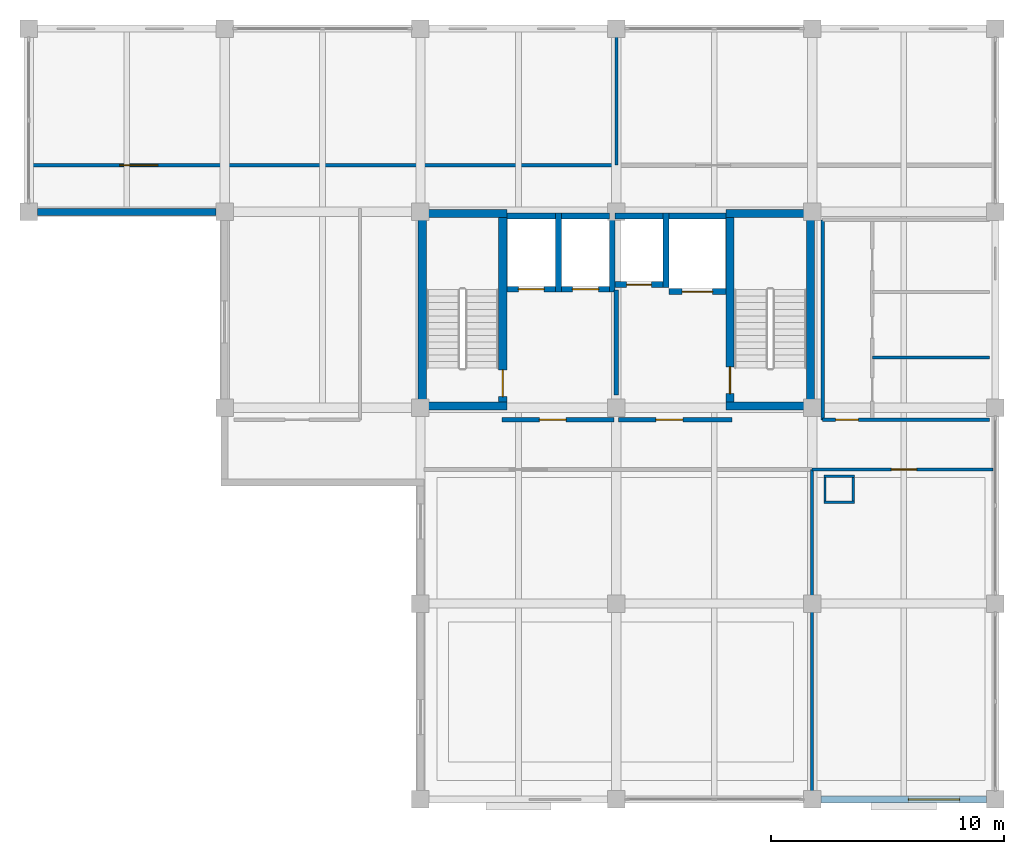
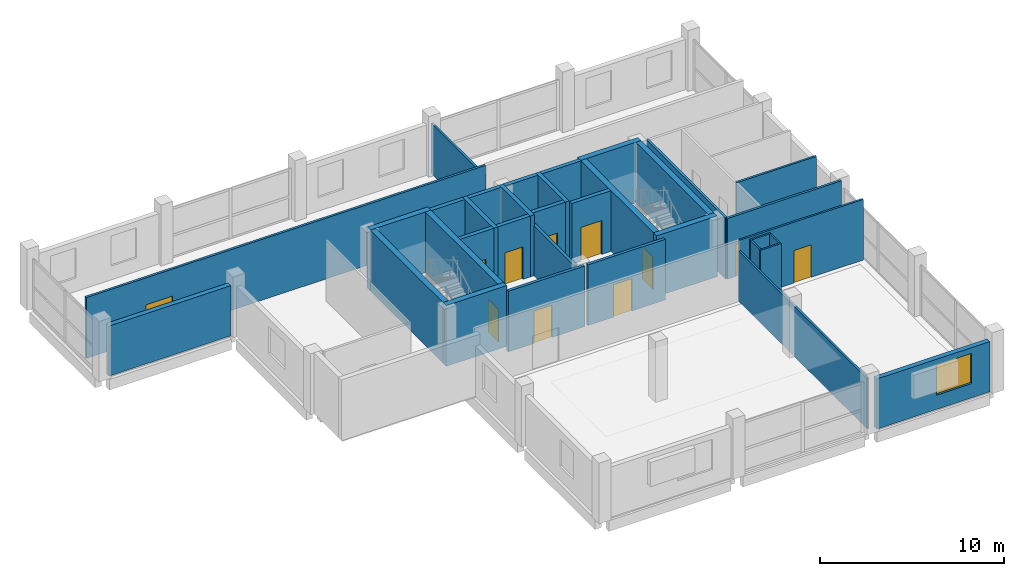
# One storey, part 7 of 9: 35 walls, 11 doors, 1 window, 12 openings.
"""IFC4 building model written with IfcOpenShell, lengths in metres."""

from ifc_helpers import new_model, si_unit, direction, frame, frame_2d, origin, place, context, subcontext, project, spatial, rectangle, extrude, material, layer, layer_set, type_object, element, fill, save


model = new_model("IFC4")

# Units and contexts
model_context = context("Model", 3, precision=1e-05, world=origin(), true_north=direction((0.0, 1.0)))
body_context = subcontext(model_context, "Body", "Model", "MODEL_VIEW")
ifc_project = project(units=[si_unit("LENGTHUNIT", "METRE"), si_unit("AREAUNIT", "SQUARE_METRE"), si_unit("VOLUMEUNIT", "CUBIC_METRE"), si_unit("PLANEANGLEUNIT", "RADIAN"), si_unit("MASSUNIT", "GRAM", prefix="KILO")], contexts=[model_context])

# Site, building, storey
site_placement = place(None, origin())
site = spatial("IfcSite", under=ifc_project, at=site_placement, CompositionType="ELEMENT")
building_placement = place(site_placement, origin())
building = spatial("IfcBuilding", under=site, at=building_placement, Name="Brinegate Botanical Conservatory", CompositionType="ELEMENT")
storey_placement = place(building_placement, frame((0.0, 0.0, 48.60009765625)))
storey = spatial("IfcBuildingStorey", under=building, at=storey_placement, Name="L12", CompositionType="ELEMENT", Elevation=48.60009765625)

# Wall, opening, window
ifc_material_1 = material(Name="Insulated Minnan red clay brick masonry", Category="masonry")
ifc_layer_1 = layer(ifc_material_1, 0.300048828125, Name="Insulated Minnan red clay brick masonry", Category="masonry")
ifc_layer_set_1 = layer_set([ifc_layer_1], Name="Insulated Minnan red clay brick masonry")
wall_type_1 = type_object("IfcWallType", Name="Wall_EW-300B", PredefinedType="STANDARD", material=ifc_layer_set_1)
wall_1_placement = place(storey_placement, frame((163.074951171875, 78.39990234375, 0.0), z_axis=(0.0, 0.0, 1.0), x_axis=(-1.0, 0.0, 0.0)))
wall_1 = element("IfcWall", 1, at=wall_1_placement, inside=storey, type_object=wall_type_1, Name="Tower south facade wall L12.3", PredefinedType="STANDARD", context=body_context, shape_type="SweptSolid", body=[
    extrude(rectangle(XDim=7.099853515625, YDim=0.300048828125, at=frame_2d((3.5498046875, 0.0))), origin(), (0.0, 0.0, 1.0), 3.329833984375),
])
opening_1_placement = place(wall_1_placement, frame((1.14990234375, 0.0, 0.949951171875)))
opening_1 = element("IfcOpeningElement", 2, at=opening_1_placement, cuts=wall_1, Name="Opening WN-13", PredefinedType="OPENING", context=body_context, shape_type="SweptSolid", body=[
    extrude(rectangle(XDim=2.199951171875, YDim=2.0, at=frame_2d((1.10009765625, 1.0))), frame((0.0, 0.159912109375, 0.0), z_axis=(0.0, -1.0, 0.0), x_axis=(1.0, 0.0, 0.0)), (0.0, 0.0, 1.0), 0.320068359375),
])
ifc_material_2 = material(Name="Thermally broken aluminium-framed Low-E glass", Category="aluminium")
window_type = type_object("IfcWindowType", Name="Win_WN-13", PartitioningType="DOUBLE_PANEL_VERTICAL", PredefinedType="WINDOW", material=ifc_material_2)
window_placement = place(opening_1_placement, origin())
window = element("IfcWindow", 3, at=window_placement, inside=storey, type_object=window_type, Name="Tower south window L12.3", OverallHeight=2.0, OverallWidth=2.199951171875, PartitioningType="DOUBLE_PANEL_VERTICAL", PredefinedType="WINDOW", context=body_context, shape_type="SweptSolid", body=[
    extrude(rectangle(XDim=2.199951171875, YDim=2.0, at=frame_2d((1.10009765625, 1.0))), frame((0.0, 0.030029296875, 0.0), z_axis=(0.0, -1.0, 0.0), x_axis=(1.0, 0.0, 0.0)), (0.0, 0.0, 1.0), 0.06005859375),
])
fill(opening_1, window)

# Walls
wall_2_placement = place(storey_placement, frame((130.02490234375, 103.60009765625, 0.0), z_axis=(0.0, 0.0, 1.0), x_axis=(-1.0, 0.0, 0.0)))
element("IfcWall", 4, at=wall_2_placement, inside=storey, type_object=wall_type_1, Name="Tower west setback return wall L12", PredefinedType="STANDARD", context=body_context, shape_type="SweptSolid", body=[
    extrude(rectangle(XDim=7.64990234375, YDim=0.300048828125, at=frame_2d((3.824951171875, 0.0))), origin(), (0.0, 0.0, 1.0), 3.329833984375),
])
ifc_material_3 = material(Name="Gypsum-clad steel-stud fire-rated shaft partition", Category="steel")
ifc_layer_2 = layer(ifc_material_3, 0.10498046875, Name="Gypsum-clad steel-stud fire-rated shaft partition", Category="steel")
ifc_layer_set_2 = layer_set([ifc_layer_2], Name="Gypsum-clad steel-stud fire-rated shaft partition")
wall_type_2 = type_object("IfcWallType", Name="Wall_PW-105", PredefinedType="PARTITIONING", material=ifc_layer_set_2)
for number, where, z_axis, x_axis, name in (
    (5, (156.094970703125, 91.1474609375, 0.0), (0.0, 0.0, 1.0), (1.0, 0.0, 0.0), "Service riser shaft wall L12 S"),
    (6, (156.094970703125, 92.25244140625, 0.0), (0.0, 0.0, 1.0), (1.0, 0.0, 0.0), "Service riser shaft wall L12 N"),
):
    element("IfcWall", number, at=place(storey_placement, frame(where, z_axis=z_axis, x_axis=x_axis)), inside=storey, type_object=wall_type_2, Name=name, PredefinedType="PARTITIONING", context=body_context, shape_type="SweptSolid", body=[
        extrude(rectangle(XDim=1.31005859375, YDim=0.10498046875, at=frame_2d((0.655029296875, 0.0))), origin(), (0.0, 0.0, 1.0), 4.02978515625),
    ])
for number, where, z_axis, x_axis, name in (
    (7, (156.1474609375, 91.199951171875, 0.0), (0.0, 0.0, 1.0), (0.0, 1.0, 0.0), "Service riser shaft wall L12 W"),
    (8, (157.3525390625, 91.199951171875, 0.0), (0.0, 0.0, 1.0), (0.0, 1.0, 0.0), "Service riser shaft wall L12 E"),
):
    element("IfcWall", number, at=place(storey_placement, frame(where, z_axis=z_axis, x_axis=x_axis)), inside=storey, type_object=wall_type_2, Name=name, PredefinedType="PARTITIONING", context=body_context, shape_type="SweptSolid", body=[
        extrude(rectangle(XDim=1.0, YDim=0.10498046875, at=frame_2d((0.5, 0.0))), origin(), (0.0, 0.0, 1.0), 4.02978515625),
    ])

# Wall, opening, door
ifc_material_4 = material(Name="Gypsum-clad steel-stud partition", Category="steel")
ifc_layer_3 = layer(ifc_material_4, 0.1201171875, Name="Gypsum-clad steel-stud partition", Category="steel")
ifc_layer_set_3 = layer_set([ifc_layer_3], Name="Gypsum-clad steel-stud partition")
wall_type_3 = type_object("IfcWallType", Name="Wall_PW-120", PredefinedType="PARTITIONING", material=ifc_layer_set_3)
wall_3_placement = place(storey_placement, frame((155.60009765625, 92.550048828125, 0.0), z_axis=(0.0, 0.0, 1.0), x_axis=(1.0, 0.0, 0.0)))
wall_3 = element("IfcWall", 9, at=wall_3_placement, inside=storey, type_object=wall_type_3, Name="Interior partition P-L12-SB-S2", PredefinedType="PARTITIONING", context=body_context, shape_type="SweptSolid", body=[
    extrude(rectangle(XDim=7.75, YDim=0.1201171875, at=frame_2d((3.875, 0.0))), origin(), (0.0, 0.0, 1.0), 4.02978515625),
])
opening_2_placement = place(wall_3_placement, frame((3.39990234375, 0.0, 0.0)))
opening_2 = element("IfcOpeningElement", 10, at=opening_2_placement, cuts=wall_3, Name="Opening DR-01", PredefinedType="OPENING", context=body_context, shape_type="SweptSolid", body=[
    extrude(rectangle(XDim=1.080078125, YDim=2.14990234375, at=frame_2d((0.5400390625, 1.074951171875))), frame((0.0, 0.070068359375, 0.0), z_axis=(0.0, -1.0, 0.0), x_axis=(1.0, 0.0, 0.0)), (0.0, 0.0, 1.0), 0.14013671875),
])
ifc_material_5 = material(Name="Hardwood timber acoustic leaf", Category="wood")
door_type_1 = type_object("IfcDoorType", Name="Door_DR-01", OperationType="NOTDEFINED", PredefinedType="DOOR", material=ifc_material_5)
door_1_placement = place(opening_2_placement, origin())
door_1 = element("IfcDoor", 11, at=door_1_placement, inside=storey, type_object=door_type_1, Name="DR-P-L12-SB-S2-1", OperationType="SINGLE_SWING_LEFT", OverallHeight=2.14990234375, OverallWidth=1.080078125, PredefinedType="DOOR", context=body_context, shape_type="SweptSolid", body=[
    extrude(rectangle(XDim=1.080078125, YDim=2.14990234375, at=frame_2d((0.5400390625, 1.074951171875))), frame((0.0, 0.02490234375, 0.0), z_axis=(0.0, -1.0, 0.0), x_axis=(1.0, 0.0, 0.0)), (0.0, 0.0, 1.0), 0.050048828125),
])
fill(opening_2, door_1)

# Walls
ifc_layer_4 = layer(ifc_material_4, 0.1279296875, Name="Gypsum-clad steel-stud partition", Category="steel")
ifc_layer_set_4 = layer_set([ifc_layer_4], Name="Gypsum-clad steel-stud partition")
wall_type_4 = type_object("IfcWallType", Name="Wall_PW-128", PredefinedType="PARTITIONING", material=ifc_layer_set_4)
wall_4_placement = place(storey_placement, frame((158.179931640625, 97.35009765625, 0.0), z_axis=(0.0, 0.0, 1.0), x_axis=(1.0, 0.0, 0.0)))
element("IfcWall", 12, at=wall_4_placement, inside=storey, type_object=wall_type_4, Name="Interior partition P-L12-WCD-9735", PredefinedType="PARTITIONING", context=body_context, shape_type="SweptSolid", body=[
    extrude(rectangle(XDim=5.02001953125, YDim=0.1279296875, at=frame_2d((2.510009765625, 0.0))), origin(), (0.0, 0.0, 1.0), 4.02978515625),
])
wall_5_placement = place(storey_placement, frame((147.199951171875, 105.60009765625, 0.0), z_axis=(0.0, 0.0, 1.0), x_axis=(0.0, 1.0, 0.0)))
element("IfcWall", 13, at=wall_5_placement, inside=storey, type_object=wall_type_4, Name="Interior partition P-L12-NDIV-N2", PredefinedType="PARTITIONING", context=body_context, shape_type="SweptSolid", body=[
    extrude(rectangle(XDim=5.75, YDim=0.1279296875, at=frame_2d((2.875, 0.0))), origin(), (0.0, 0.0, 1.0), 3.329833984375),
])
wall_6_placement = place(storey_placement, frame((155.60009765625, 78.550048828125, 0.0), z_axis=(0.0, 0.0, 1.0), x_axis=(0.0, 1.0, 0.0)))
element("IfcWall", 14, at=wall_6_placement, inside=storey, type_object=wall_type_4, Name="Interior partition P-L12-SDIV-S2", PredefinedType="PARTITIONING", context=body_context, shape_type="SweptSolid", body=[
    extrude(rectangle(XDim=14.0, YDim=0.1279296875, at=frame_2d((7.0, 0.0))), origin(), (0.0, 0.0, 1.0), 3.329833984375),
])

# Wall, opening, door
ifc_material_6 = material(Name="Gypsum-clad acoustic steel-stud partition", Category="steel")
ifc_layer_5 = layer(ifc_material_6, 0.14501953125, Name="Gypsum-clad acoustic steel-stud partition", Category="steel")
ifc_layer_set_5 = layer_set([ifc_layer_5], Name="Gypsum-clad acoustic steel-stud partition")
wall_type_5 = type_object("IfcWallType", Name="Wall_PW-150", PredefinedType="PARTITIONING", material=ifc_layer_set_5)
wall_7_placement = place(storey_placement, frame((122.14990234375, 105.60009765625, 0.0), z_axis=(0.0, 0.0, 1.0), x_axis=(1.0, 0.0, 0.0)))
wall_7 = element("IfcWall", 15, at=wall_7_placement, inside=storey, type_object=wall_type_5, Name="Interior partition P-L12-NB-N1", PredefinedType="PARTITIONING", context=body_context, shape_type="SweptSolid", body=[
    extrude(rectangle(XDim=25.050048828125, YDim=0.14501953125, at=frame_2d((12.52490234375, 0.0))), origin(), (0.0, 0.0, 1.0), 4.02978515625),
])
opening_3_placement = place(wall_7_placement, frame((3.75, 0.0, 0.0)))
opening_3 = element("IfcOpeningElement", 16, at=opening_3_placement, cuts=wall_7, Name="Opening DR-11", PredefinedType="OPENING", context=body_context, shape_type="SweptSolid", body=[
    extrude(rectangle(XDim=1.639892578125, YDim=2.239990234375, at=frame_2d((0.81982421875, 1.1201171875))), frame((0.0, 0.08251953125, 0.0), z_axis=(0.0, -1.0, 0.0), x_axis=(1.0, 0.0, 0.0)), (0.0, 0.0, 1.0), 0.1650390625),
])
ifc_material_7 = material(Name="Hardwood acoustic double door", Category="wood")
door_type_2 = type_object("IfcDoorType", Name="Door_DR-11", OperationType="NOTDEFINED", PredefinedType="DOOR", material=ifc_material_7)
door_2_placement = place(opening_3_placement, origin())
door_2 = element("IfcDoor", 17, at=door_2_placement, inside=storey, type_object=door_type_2, Name="DR-P-L12-NB-N1-1", OperationType="SINGLE_SWING_LEFT", OverallHeight=2.239990234375, OverallWidth=1.639892578125, PredefinedType="DOOR", context=body_context, shape_type="SweptSolid", body=[
    extrude(rectangle(XDim=1.639892578125, YDim=2.239990234375, at=frame_2d((0.81982421875, 1.1201171875))), frame((0.0, 0.02490234375, 0.0), z_axis=(0.0, -1.0, 0.0), x_axis=(1.0, 0.0, 0.0)), (0.0, 0.0, 1.0), 0.050048828125),
])
fill(opening_3, door_2)

ifc_material_8 = material(Name="Moisture-resistant cement-board partition", Category="gypsum")
ifc_layer_6 = layer(ifc_material_8, 0.14990234375, Name="Moisture-resistant cement-board partition", Category="gypsum")
ifc_layer_set_6 = layer_set([ifc_layer_6], Name="Moisture-resistant cement-board partition")
wall_type_6 = type_object("IfcWallType", Name="Wall_PW-150W", PredefinedType="PARTITIONING", material=ifc_layer_set_6)
wall_8_placement = place(storey_placement, frame((156.050048828125, 94.679931640625, 0.0), z_axis=(0.0, 0.0, 1.0), x_axis=(1.0, 0.0, 0.0)))
wall_8 = element("IfcWall", 18, at=wall_8_placement, inside=storey, type_object=wall_type_6, Name="Interior partition P-L12-WCS", PredefinedType="PARTITIONING", context=body_context, shape_type="SweptSolid", body=[
    extrude(rectangle(XDim=7.14990234375, YDim=0.14990234375, at=frame_2d((3.574951171875, 0.0))), origin(), (0.0, 0.0, 1.0), 4.02978515625),
])
opening_4_placement = place(wall_8_placement, frame((0.550048828125, 0.0, 0.0)))
opening_4 = element("IfcOpeningElement", 19, at=opening_4_placement, cuts=wall_8, Name="Opening DR-03", PredefinedType="OPENING", context=body_context, shape_type="SweptSolid", body=[
    extrude(rectangle(XDim=0.97998046875, YDim=2.1201171875, at=frame_2d((0.489990234375, 1.06005859375))), frame((0.0, 0.0849609375, 0.0), z_axis=(0.0, -1.0, 0.0), x_axis=(1.0, 0.0, 0.0)), (0.0, 0.0, 1.0), 0.169921875),
])
ifc_material_9 = material(Name="Steel-core hardwood smoke-sealed fire door", Category="steel")
door_type_3 = type_object("IfcDoorType", Name="Door_DR-03", OperationType="NOTDEFINED", PredefinedType="DOOR", material=ifc_material_9)
door_3_placement = place(opening_4_placement, origin())
door_3 = element("IfcDoor", 20, at=door_3_placement, inside=storey, type_object=door_type_3, Name="DR-P-L12-WCS-1", OperationType="SINGLE_SWING_LEFT", OverallHeight=2.1201171875, OverallWidth=0.97998046875, PredefinedType="DOOR", context=body_context, shape_type="SweptSolid", body=[
    extrude(rectangle(XDim=0.97998046875, YDim=2.1201171875, at=frame_2d((0.489990234375, 1.06005859375))), frame((0.0, 0.02490234375, 0.0), z_axis=(0.0, -1.0, 0.0), x_axis=(1.0, 0.0, 0.0)), (0.0, 0.0, 1.0), 0.050048828125),
])
fill(opening_4, door_3)

# Wall
wall_9_placement = place(storey_placement, frame((156.050048828125, 94.679931640625, 0.0), z_axis=(0.0, 0.0, 1.0), x_axis=(0.0, 1.0, 0.0)))
element("IfcWall", 21, at=wall_9_placement, inside=storey, type_object=wall_type_6, Name="Interior partition P-L12-WCWW", PredefinedType="PARTITIONING", context=body_context, shape_type="SweptSolid", body=[
    extrude(rectangle(XDim=8.570068359375, YDim=0.14990234375, at=frame_2d((4.28515625, 0.0))), origin(), (0.0, 0.0, 1.0), 4.02978515625),
])

# Wall, opening, door
ifc_material_10 = material(Name="Autoclaved aerated concrete C40/50 blockwork", Category="masonry")
ifc_layer_7 = layer(ifc_material_10, 0.179931640625, Name="Autoclaved aerated concrete C40/50 blockwork", Category="masonry")
ifc_layer_set_7 = layer_set([ifc_layer_7], Name="Autoclaved aerated concrete C40/50 blockwork")
wall_type_7 = type_object("IfcWallType", Name="Wall_PW-180F", PredefinedType="STANDARD", material=ifc_layer_set_7)
wall_10_placement = place(storey_placement, frame((142.300048828125, 94.679931640625, 0.0), z_axis=(0.0, 0.0, 1.0), x_axis=(1.0, 0.0, 0.0)))
wall_10 = element("IfcWall", 22, at=wall_10_placement, inside=storey, type_object=wall_type_7, Name="Interior partition P-L12-CORE-FF", PredefinedType="STANDARD", context=body_context, shape_type="SweptSolid", body=[
    extrude(rectangle(XDim=4.800048828125, YDim=0.179931640625, at=frame_2d((2.39990234375, 0.0))), origin(), (0.0, 0.0, 1.0), 4.02978515625),
])
opening_5_placement = place(wall_10_placement, frame((1.60009765625, 0.0, 0.0)))
opening_5 = element("IfcOpeningElement", 23, at=opening_5_placement, cuts=wall_10, Name="Opening FD-B1", PredefinedType="OPENING", context=body_context, shape_type="SweptSolid", body=[
    extrude(rectangle(XDim=1.14990234375, YDim=2.14990234375, at=frame_2d((0.574951171875, 1.074951171875))), frame((0.0, 0.099853515625, 0.0), z_axis=(0.0, -1.0, 0.0), x_axis=(1.0, 0.0, 0.0)), (0.0, 0.0, 1.0), 0.199951171875),
])
ifc_material_11 = material(Name="Steel smoke-proof fire door assembly", Category="steel")
door_type_4 = type_object("IfcDoorType", Name="Door_FD-B1", OperationType="NOTDEFINED", PredefinedType="DOOR", material=ifc_material_11)
door_4_placement = place(opening_5_placement, origin())
door_4 = element("IfcDoor", 24, at=door_4_placement, inside=storey, type_object=door_type_4, Name="DR-P-L12-CORE-FF-1", OperationType="SINGLE_SWING_LEFT", OverallHeight=2.14990234375, OverallWidth=1.14990234375, PredefinedType="DOOR", context=body_context, shape_type="SweptSolid", body=[
    extrude(rectangle(XDim=1.14990234375, YDim=2.14990234375, at=frame_2d((0.574951171875, 1.074951171875))), frame((0.0, 0.02490234375, 0.0), z_axis=(0.0, -1.0, 0.0), x_axis=(1.0, 0.0, 0.0)), (0.0, 0.0, 1.0), 0.050048828125),
])
fill(opening_5, door_4)

wall_11_placement = place(storey_placement, frame((147.300048828125, 94.679931640625, 0.0), z_axis=(0.0, 0.0, 1.0), x_axis=(1.0, 0.0, 0.0)))
wall_11 = element("IfcWall", 25, at=wall_11_placement, inside=storey, type_object=wall_type_7, Name="Interior partition P-L12-CORE-PAX", PredefinedType="STANDARD", context=body_context, shape_type="SweptSolid", body=[
    extrude(rectangle(XDim=4.849853515625, YDim=0.179931640625, at=frame_2d((2.4248046875, 0.0))), origin(), (0.0, 0.0, 1.0), 4.02978515625),
])
opening_6_placement = place(wall_11_placement, frame((1.60009765625, 0.0, 0.0)))
opening_6 = element("IfcOpeningElement", 26, at=opening_6_placement, cuts=wall_11, Name="Opening FD-B1", PredefinedType="OPENING", context=body_context, shape_type="SweptSolid", body=[
    extrude(rectangle(XDim=1.14990234375, YDim=2.14990234375, at=frame_2d((0.574951171875, 1.074951171875))), frame((0.0, 0.099853515625, 0.0), z_axis=(0.0, -1.0, 0.0), x_axis=(1.0, 0.0, 0.0)), (0.0, 0.0, 1.0), 0.199951171875),
])
door_5_placement = place(opening_6_placement, origin())
door_5 = element("IfcDoor", 27, at=door_5_placement, inside=storey, type_object=door_type_4, Name="DR-P-L12-CORE-PAX-1", OperationType="SINGLE_SWING_RIGHT", OverallHeight=2.14990234375, OverallWidth=1.14990234375, PredefinedType="DOOR", context=body_context, shape_type="SweptSolid", body=[
    extrude(rectangle(XDim=1.14990234375, YDim=2.14990234375, at=frame_2d((0.574951171875, 1.074951171875))), frame((0.0, 0.02490234375, 0.0), z_axis=(0.0, -1.0, 0.0), x_axis=(1.0, 0.0, 0.0)), (0.0, 0.0, 1.0), 0.050048828125),
])
fill(opening_6, door_5)

# Wall
wall_12_placement = place(storey_placement, frame((147.199951171875, 95.75, 0.0), z_axis=(0.0, 0.0, 1.0), x_axis=(0.0, 1.0, 0.0)))
element("IfcWall", 28, at=wall_12_placement, inside=storey, type_object=wall_type_7, Name="Interior partition P-L12-CORE-DIV", PredefinedType="STANDARD", context=body_context, shape_type="SweptSolid", body=[
    extrude(rectangle(XDim=4.5, YDim=0.179931640625, at=frame_2d((2.25, 0.0))), origin(), (0.0, 0.0, 1.0), 3.329833984375),
])

# Wall, opening, door
ifc_material_12 = material(Name="Concrete C40/50", Category="concrete")
ifc_layer_8 = layer(ifc_material_12, 0.25, Name="Concrete C40/50", Category="concrete")
ifc_layer_set_8 = layer_set([ifc_layer_8], Name="Concrete C40/50")
wall_type_8 = type_object("IfcWallType", Name="Wall_SW-250", PredefinedType="SHEAR", material=ifc_layer_set_8)
wall_13_placement = place(storey_placement, frame((142.5, 100.27490234375, 0.0), z_axis=(0.0, 0.0, 1.0), x_axis=(1.0, 0.0, 0.0)))
wall_13 = element("IfcWall", 29, at=wall_13_placement, inside=storey, type_object=wall_type_8, Name="Lift shaft LF1 shear wall L12 S", PredefinedType="SHEAR", context=body_context, shape_type="SweptSolid", body=[
    extrude(rectangle(XDim=2.10009765625, YDim=0.25, at=frame_2d((1.050048828125, 0.0))), origin(), (0.0, 0.0, 1.0), 4.02978515625),
])
opening_7_placement = place(wall_13_placement, frame((0.5, 0.0, 0.0)))
opening_7 = element("IfcOpeningElement", 30, at=opening_7_placement, cuts=wall_13, Name="Opening LD-01", PredefinedType="OPENING", context=body_context, shape_type="SweptSolid", body=[
    extrude(rectangle(XDim=1.10009765625, YDim=2.14990234375, at=frame_2d((0.550048828125, 1.074951171875))), frame((0.0, 0.135009765625, 0.0), z_axis=(0.0, -1.0, 0.0), x_axis=(1.0, 0.0, 0.0)), (0.0, 0.0, 1.0), 0.27001953125),
])
ifc_material_13 = material(Name="Brushed stainless steel S355 landing door", Category="steel")
door_type_5 = type_object("IfcDoorType", Name="Door_LD-01", OperationType="SLIDING_TO_LEFT", PredefinedType="DOOR", material=ifc_material_13)
door_6_placement = place(opening_7_placement, origin())
door_6 = element("IfcDoor", 31, at=door_6_placement, inside=storey, type_object=door_type_5, Name="LD-LF1-L12", OperationType="SLIDING_TO_LEFT", OverallHeight=2.14990234375, OverallWidth=1.10009765625, PredefinedType="DOOR", context=body_context, shape_type="SweptSolid", body=[
    extrude(rectangle(XDim=1.10009765625, YDim=2.14990234375, at=frame_2d((0.550048828125, 1.074951171875))), frame((0.0, 0.02490234375, 0.0), z_axis=(0.0, -1.0, 0.0), x_axis=(1.0, 0.0, 0.0)), (0.0, 0.0, 1.0), 0.050048828125),
])
fill(opening_7, door_6)

# Walls
wall_14_placement = place(storey_placement, frame((142.5, 103.425048828125, 0.0), z_axis=(0.0, 0.0, 1.0), x_axis=(1.0, 0.0, 0.0)))
element("IfcWall", 32, at=wall_14_placement, inside=storey, type_object=wall_type_8, Name="Lift shaft LF1 shear wall L12 N", PredefinedType="SHEAR", context=body_context, shape_type="SweptSolid", body=[
    extrude(rectangle(XDim=2.10009765625, YDim=0.25, at=frame_2d((1.050048828125, 0.0))), origin(), (0.0, 0.0, 1.0), 4.02978515625),
])
wall_15_placement = place(storey_placement, frame((144.72509765625, 100.14990234375, 0.0), z_axis=(0.0, 0.0, 1.0), x_axis=(0.0, 1.0, 0.0)))
element("IfcWall", 33, at=wall_15_placement, inside=storey, type_object=wall_type_8, Name="Lift shaft LF1 shear wall L12 E", PredefinedType="SHEAR", context=body_context, shape_type="SweptSolid", body=[
    extrude(rectangle(XDim=3.400146484375, YDim=0.25, at=frame_2d((1.7001953125, 0.0))), origin(), (0.0, 0.0, 1.0), 4.02978515625),
])

# Wall, opening, door
wall_16_placement = place(storey_placement, frame((144.85009765625, 100.27490234375, 0.0), z_axis=(0.0, 0.0, 1.0), x_axis=(1.0, 0.0, 0.0)))
wall_16 = element("IfcWall", 34, at=wall_16_placement, inside=storey, type_object=wall_type_8, Name="Lift shaft LF2 shear wall L12 S", PredefinedType="SHEAR", context=body_context, shape_type="SweptSolid", body=[
    extrude(rectangle(XDim=2.0498046875, YDim=0.25, at=frame_2d((1.02490234375, 0.0))), origin(), (0.0, 0.0, 1.0), 4.02978515625),
])
opening_8_placement = place(wall_16_placement, frame((0.465087890625, 0.0, 0.0)))
opening_8 = element("IfcOpeningElement", 35, at=opening_8_placement, cuts=wall_16, Name="Opening LD-02", PredefinedType="OPENING", context=body_context, shape_type="SweptSolid", body=[
    extrude(rectangle(XDim=1.1201171875, YDim=2.14990234375, at=frame_2d((0.56005859375, 1.074951171875))), frame((0.0, 0.135009765625, 0.0), z_axis=(0.0, -1.0, 0.0), x_axis=(1.0, 0.0, 0.0)), (0.0, 0.0, 1.0), 0.27001953125),
])
door_type_6 = type_object("IfcDoorType", Name="Door_LD-02", OperationType="SLIDING_TO_LEFT", PredefinedType="DOOR", material=ifc_material_13)
door_7_placement = place(opening_8_placement, origin())
door_7 = element("IfcDoor", 36, at=door_7_placement, inside=storey, type_object=door_type_6, Name="LD-LF2-L12", OperationType="SLIDING_TO_LEFT", OverallHeight=2.14990234375, OverallWidth=1.1201171875, PredefinedType="DOOR", context=body_context, shape_type="SweptSolid", body=[
    extrude(rectangle(XDim=1.1201171875, YDim=2.14990234375, at=frame_2d((0.56005859375, 1.074951171875))), frame((0.0, 0.02490234375, 0.0), z_axis=(0.0, -1.0, 0.0), x_axis=(1.0, 0.0, 0.0)), (0.0, 0.0, 1.0), 0.050048828125),
])
fill(opening_8, door_7)

# Walls
wall_17_placement = place(storey_placement, frame((144.85009765625, 103.425048828125, 0.0), z_axis=(0.0, 0.0, 1.0), x_axis=(1.0, 0.0, 0.0)))
element("IfcWall", 37, at=wall_17_placement, inside=storey, type_object=wall_type_8, Name="Lift shaft LF2 shear wall L12 N", PredefinedType="SHEAR", context=body_context, shape_type="SweptSolid", body=[
    extrude(rectangle(XDim=2.0498046875, YDim=0.25, at=frame_2d((1.02490234375, 0.0))), origin(), (0.0, 0.0, 1.0), 4.02978515625),
])
wall_18_placement = place(storey_placement, frame((147.02490234375, 100.14990234375, 0.0), z_axis=(0.0, 0.0, 1.0), x_axis=(0.0, 1.0, 0.0)))
element("IfcWall", 38, at=wall_18_placement, inside=storey, type_object=wall_type_8, Name="Lift shaft LF2 shear wall L12 E", PredefinedType="SHEAR", context=body_context, shape_type="SweptSolid", body=[
    extrude(rectangle(XDim=3.400146484375, YDim=0.25, at=frame_2d((1.7001953125, 0.0))), origin(), (0.0, 0.0, 1.0), 4.02978515625),
])

# Wall, opening, door
wall_19_placement = place(storey_placement, frame((147.14990234375, 100.47509765625, 0.0), z_axis=(0.0, 0.0, 1.0), x_axis=(1.0, 0.0, 0.0)))
wall_19 = element("IfcWall", 39, at=wall_19_placement, inside=storey, type_object=wall_type_8, Name="Lift shaft LF3 shear wall L12 S", PredefinedType="SHEAR", context=body_context, shape_type="SweptSolid", body=[
    extrude(rectangle(XDim=2.050048828125, YDim=0.25, at=frame_2d((1.02490234375, 0.0))), origin(), (0.0, 0.0, 1.0), 4.02978515625),
])
opening_9_placement = place(wall_19_placement, frame((0.4951171875, 0.0, 0.0)))
opening_9 = element("IfcOpeningElement", 40, at=opening_9_placement, cuts=wall_19, Name="Opening LD-03", PredefinedType="OPENING", context=body_context, shape_type="SweptSolid", body=[
    extrude(rectangle(XDim=1.06005859375, YDim=2.14990234375, at=frame_2d((0.530029296875, 1.074951171875))), frame((0.0, 0.135009765625, 0.0), z_axis=(0.0, -1.0, 0.0), x_axis=(1.0, 0.0, 0.0)), (0.0, 0.0, 1.0), 0.27001953125),
])
door_type_7 = type_object("IfcDoorType", Name="Door_LD-03", OperationType="SLIDING_TO_LEFT", PredefinedType="DOOR", material=ifc_material_13)
door_8_placement = place(opening_9_placement, origin())
door_8 = element("IfcDoor", 41, at=door_8_placement, inside=storey, type_object=door_type_7, Name="LD-LF3-L12", OperationType="SLIDING_TO_LEFT", OverallHeight=2.14990234375, OverallWidth=1.06005859375, PredefinedType="DOOR", context=body_context, shape_type="SweptSolid", body=[
    extrude(rectangle(XDim=1.06005859375, YDim=2.14990234375, at=frame_2d((0.530029296875, 1.074951171875))), frame((0.0, 0.02490234375, 0.0), z_axis=(0.0, -1.0, 0.0), x_axis=(1.0, 0.0, 0.0)), (0.0, 0.0, 1.0), 0.050048828125),
])
fill(opening_9, door_8)

# Walls
wall_20_placement = place(storey_placement, frame((147.14990234375, 103.425048828125, 0.0), z_axis=(0.0, 0.0, 1.0), x_axis=(1.0, 0.0, 0.0)))
element("IfcWall", 42, at=wall_20_placement, inside=storey, type_object=wall_type_8, Name="Lift shaft LF3 shear wall L12 N", PredefinedType="SHEAR", context=body_context, shape_type="SweptSolid", body=[
    extrude(rectangle(XDim=2.050048828125, YDim=0.25, at=frame_2d((1.02490234375, 0.0))), origin(), (0.0, 0.0, 1.0), 4.02978515625),
])
wall_21_placement = place(storey_placement, frame((149.324951171875, 100.35009765625, 0.0), z_axis=(0.0, 0.0, 1.0), x_axis=(0.0, 1.0, 0.0)))
element("IfcWall", 43, at=wall_21_placement, inside=storey, type_object=wall_type_8, Name="Lift shaft LF3 shear wall L12 E", PredefinedType="SHEAR", context=body_context, shape_type="SweptSolid", body=[
    extrude(rectangle(XDim=3.199951171875, YDim=0.25, at=frame_2d((1.60009765625, 0.0))), origin(), (0.0, 0.0, 1.0), 4.02978515625),
])

# Wall, opening, door
wall_22_placement = place(storey_placement, frame((149.449951171875, 100.175048828125, 0.0), z_axis=(0.0, 0.0, 1.0), x_axis=(1.0, 0.0, 0.0)))
wall_22 = element("IfcWall", 44, at=wall_22_placement, inside=storey, type_object=wall_type_8, Name="Lift shaft LF4 shear wall L12 S", PredefinedType="SHEAR", context=body_context, shape_type="SweptSolid", body=[
    extrude(rectangle(XDim=2.449951171875, YDim=0.25, at=frame_2d((1.22509765625, 0.0))), origin(), (0.0, 0.0, 1.0), 4.02978515625),
])
opening_10_placement = place(wall_22_placement, frame((0.574951171875, 0.0, 0.0)))
opening_10 = element("IfcOpeningElement", 45, at=opening_10_placement, cuts=wall_22, Name="Opening LD-04", PredefinedType="OPENING", context=body_context, shape_type="SweptSolid", body=[
    extrude(rectangle(XDim=1.300048828125, YDim=2.25, at=frame_2d((0.64990234375, 1.125))), frame((0.0, 0.135009765625, 0.0), z_axis=(0.0, -1.0, 0.0), x_axis=(1.0, 0.0, 0.0)), (0.0, 0.0, 1.0), 0.27001953125),
])
door_type_8 = type_object("IfcDoorType", Name="Door_LD-04", OperationType="SLIDING_TO_LEFT", PredefinedType="DOOR", material=ifc_material_13)
door_9_placement = place(opening_10_placement, origin())
door_9 = element("IfcDoor", 46, at=door_9_placement, inside=storey, type_object=door_type_8, Name="LD-LF4-L12", OperationType="SLIDING_TO_LEFT", OverallHeight=2.25, OverallWidth=1.300048828125, PredefinedType="DOOR", context=body_context, shape_type="SweptSolid", body=[
    extrude(rectangle(XDim=1.300048828125, YDim=2.25, at=frame_2d((0.64990234375, 1.125))), frame((0.0, 0.02490234375, 0.0), z_axis=(0.0, -1.0, 0.0), x_axis=(1.0, 0.0, 0.0)), (0.0, 0.0, 1.0), 0.050048828125),
])
fill(opening_10, door_9)

# Walls
wall_23_placement = place(storey_placement, frame((149.449951171875, 103.425048828125, 0.0), z_axis=(0.0, 0.0, 1.0), x_axis=(1.0, 0.0, 0.0)))
element("IfcWall", 47, at=wall_23_placement, inside=storey, type_object=wall_type_8, Name="Lift shaft LF4 shear wall L12 N", PredefinedType="SHEAR", context=body_context, shape_type="SweptSolid", body=[
    extrude(rectangle(XDim=2.449951171875, YDim=0.25, at=frame_2d((1.22509765625, 0.0))), origin(), (0.0, 0.0, 1.0), 4.02978515625),
])
ifc_layer_9 = layer(ifc_material_12, 0.35009765625, Name="Concrete C40/50", Category="concrete")
ifc_layer_set_9 = layer_set([ifc_layer_9], Name="Concrete C40/50")
wall_type_9 = type_object("IfcWallType", Name="Wall_SW-350", PredefinedType="SHEAR", material=ifc_layer_set_9)
for number, where, z_axis, x_axis, name in (
    (48, (138.699951171875, 95.27490234375, 0.0), (0.0, 0.0, 1.0), (1.0, 0.0, 0.0), "Stairwell ST1 shear wall L12 S"),
    (49, (138.699951171875, 103.52490234375, 0.0), (0.0, 0.0, 1.0), (1.0, 0.0, 0.0), "Stairwell ST1 shear wall L12 N"),
):
    element("IfcWall", number, at=place(storey_placement, frame(where, z_axis=z_axis, x_axis=x_axis)), inside=storey, type_object=wall_type_9, Name=name, PredefinedType="SHEAR", context=body_context, shape_type="SweptSolid", body=[
        extrude(rectangle(XDim=3.800048828125, YDim=0.35009765625, at=frame_2d((1.89990234375, 0.0))), origin(), (0.0, 0.0, 1.0), 4.02978515625),
    ])
wall_24_placement = place(storey_placement, frame((138.875, 95.449951171875, 0.0), z_axis=(0.0, 0.0, 1.0), x_axis=(0.0, 1.0, 0.0)))
element("IfcWall", 50, at=wall_24_placement, inside=storey, type_object=wall_type_9, Name="Stairwell ST1 shear wall L12 W", PredefinedType="SHEAR", context=body_context, shape_type="SweptSolid", body=[
    extrude(rectangle(XDim=7.900146484375, YDim=0.35009765625, at=frame_2d((3.9501953125, 0.0))), origin(), (0.0, 0.0, 1.0), 4.02978515625),
])

# Wall, opening, door
wall_25_placement = place(storey_placement, frame((142.324951171875, 95.449951171875, 0.0), z_axis=(0.0, 0.0, 1.0), x_axis=(0.0, 1.0, 0.0)))
wall_25 = element("IfcWall", 51, at=wall_25_placement, inside=storey, type_object=wall_type_9, Name="Stairwell ST1 shear wall L12 E", PredefinedType="SHEAR", context=body_context, shape_type="SweptSolid", body=[
    extrude(rectangle(XDim=7.900146484375, YDim=0.35009765625, at=frame_2d((3.9501953125, 0.0))), origin(), (0.0, 0.0, 1.0), 4.02978515625),
])
opening_11_placement = place(wall_25_placement, frame((0.219970703125, 0.0, 0.0)))
opening_11 = element("IfcOpeningElement", 52, at=opening_11_placement, cuts=wall_25, Name="Opening FD-B1", PredefinedType="OPENING", context=body_context, shape_type="SweptSolid", body=[
    extrude(rectangle(XDim=1.14990234375, YDim=2.14990234375, at=frame_2d((0.574951171875, 1.074951171875))), frame((0.0, 0.18505859375, 0.0), z_axis=(0.0, -1.0, 0.0), x_axis=(1.0, 0.0, 0.0)), (0.0, 0.0, 1.0), 0.3701171875),
])
door_10_placement = place(opening_11_placement, origin())
door_10 = element("IfcDoor", 53, at=door_10_placement, inside=storey, type_object=door_type_4, Name="DR-ST-ST1-L12", OperationType="SINGLE_SWING_RIGHT", OverallHeight=2.14990234375, OverallWidth=1.14990234375, PredefinedType="DOOR", context=body_context, shape_type="SweptSolid", body=[
    extrude(rectangle(XDim=1.14990234375, YDim=2.14990234375, at=frame_2d((0.574951171875, 1.074951171875))), frame((0.0, 0.02490234375, 0.0), z_axis=(0.0, -1.0, 0.0), x_axis=(1.0, 0.0, 0.0)), (0.0, 0.0, 1.0), 0.050048828125),
])
fill(opening_11, door_10)

# Walls
for number, where, z_axis, x_axis, name in (
    (54, (151.89990234375, 95.27490234375, 0.0), (0.0, 0.0, 1.0), (1.0, 0.0, 0.0), "Stairwell ST2 shear wall L12 S"),
    (55, (151.89990234375, 103.52490234375, 0.0), (0.0, 0.0, 1.0), (1.0, 0.0, 0.0), "Stairwell ST2 shear wall L12 N"),
):
    element("IfcWall", number, at=place(storey_placement, frame(where, z_axis=z_axis, x_axis=x_axis)), inside=storey, type_object=wall_type_9, Name=name, PredefinedType="SHEAR", context=body_context, shape_type="SweptSolid", body=[
        extrude(rectangle(XDim=3.800048828125, YDim=0.35009765625, at=frame_2d((1.89990234375, 0.0))), origin(), (0.0, 0.0, 1.0), 4.02978515625),
    ])

# Wall, opening, door
wall_26_placement = place(storey_placement, frame((152.074951171875, 95.449951171875, 0.0), z_axis=(0.0, 0.0, 1.0), x_axis=(0.0, 1.0, 0.0)))
wall_26 = element("IfcWall", 56, at=wall_26_placement, inside=storey, type_object=wall_type_9, Name="Stairwell ST2 shear wall L12 W", PredefinedType="SHEAR", context=body_context, shape_type="SweptSolid", body=[
    extrude(rectangle(XDim=7.900146484375, YDim=0.35009765625, at=frame_2d((3.9501953125, 0.0))), origin(), (0.0, 0.0, 1.0), 4.02978515625),
])
opening_12_placement = place(wall_26_placement, frame((0.35009765625, 0.0, 0.0)))
opening_12 = element("IfcOpeningElement", 57, at=opening_12_placement, cuts=wall_26, Name="Opening FD-B1", PredefinedType="OPENING", context=body_context, shape_type="SweptSolid", body=[
    extrude(rectangle(XDim=1.14990234375, YDim=2.14990234375, at=frame_2d((0.574951171875, 1.074951171875))), frame((0.0, 0.18505859375, 0.0), z_axis=(0.0, -1.0, 0.0), x_axis=(1.0, 0.0, 0.0)), (0.0, 0.0, 1.0), 0.3701171875),
])
door_11_placement = place(opening_12_placement, origin())
door_11 = element("IfcDoor", 58, at=door_11_placement, inside=storey, type_object=door_type_4, Name="DR-ST-ST2-L12", OperationType="SINGLE_SWING_RIGHT", OverallHeight=2.14990234375, OverallWidth=1.14990234375, PredefinedType="DOOR", context=body_context, shape_type="SweptSolid", body=[
    extrude(rectangle(XDim=1.14990234375, YDim=2.14990234375, at=frame_2d((0.574951171875, 1.074951171875))), frame((0.0, 0.02490234375, 0.0), z_axis=(0.0, -1.0, 0.0), x_axis=(1.0, 0.0, 0.0)), (0.0, 0.0, 1.0), 0.050048828125),
])
fill(opening_12, door_11)

# Wall
wall_27_placement = place(storey_placement, frame((155.52490234375, 95.449951171875, 0.0), z_axis=(0.0, 0.0, 1.0), x_axis=(0.0, 1.0, 0.0)))
element("IfcWall", 59, at=wall_27_placement, inside=storey, type_object=wall_type_9, Name="Stairwell ST2 shear wall L12 E", PredefinedType="SHEAR", context=body_context, shape_type="SweptSolid", body=[
    extrude(rectangle(XDim=7.900146484375, YDim=0.35009765625, at=frame_2d((3.9501953125, 0.0))), origin(), (0.0, 0.0, 1.0), 4.02978515625),
])

save(model, "model.ifc")
